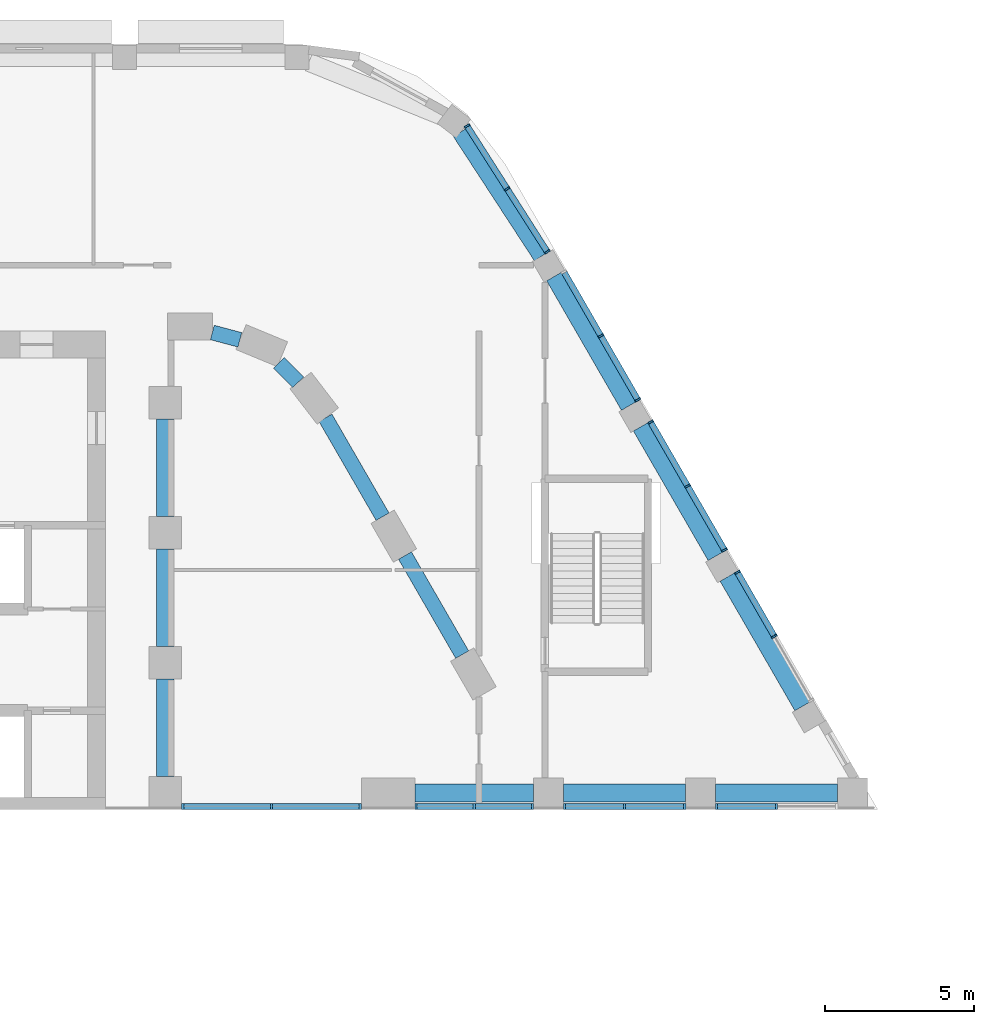
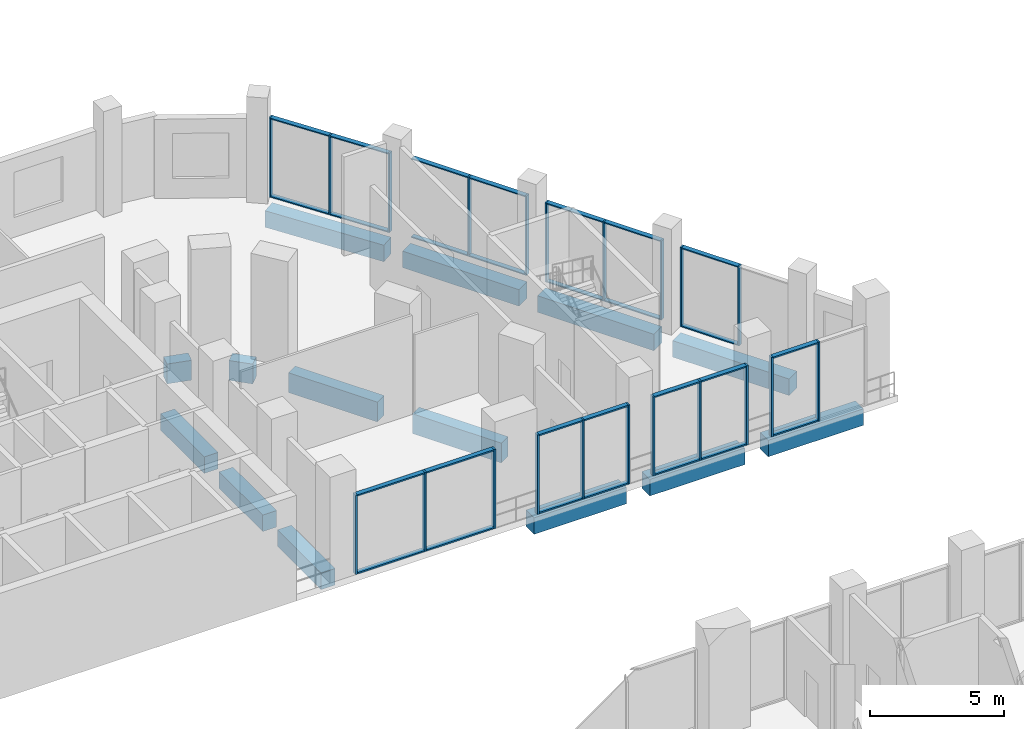
# One storey, part 6 of 45: 49 members, 14 beams, 8 elements without a shape of their own.
"""IFC4 building model written with IfcOpenShell, lengths in metres."""

from ifc_helpers import new_model, si_unit, direction, frame, origin, origin_2d, place, context, subcontext, project, spatial, rectangle, extrude, material, layer, layer_set, material_profile, profile_set, type_object, element, aggregate, save


model = new_model("IFC4")

# Units and contexts
model_context = context("Model", 3, precision=1e-05, world=origin(), true_north=direction((0.0, 1.0)))
body_context = subcontext(model_context, "Body", "Model", "MODEL_VIEW")
ifc_project = project(units=[si_unit("LENGTHUNIT", "METRE"), si_unit("AREAUNIT", "SQUARE_METRE"), si_unit("VOLUMEUNIT", "CUBIC_METRE"), si_unit("PLANEANGLEUNIT", "RADIAN"), si_unit("MASSUNIT", "GRAM", prefix="KILO")], contexts=[model_context])

# Site, building, storey
site_placement = place(None, origin())
site = spatial("IfcSite", under=ifc_project, at=site_placement, CompositionType="ELEMENT")
building_placement = place(site_placement, origin())
building = spatial("IfcBuilding", under=site, at=building_placement, Name="Nakaniwa Court", CompositionType="ELEMENT")
storey_placement = place(building_placement, frame((0.0, 0.0, 6.60009765625)))
storey = spatial("IfcBuildingStorey", under=building, at=storey_placement, Name="L01", CompositionType="ELEMENT", Elevation=6.60009765625)

# Beams
ifc_material_1 = material(Name="Concrete C100/115", Category="concrete")
ifc_material_profile_1 = material_profile(ifc_material_1, rectangle(XDim=0.5, YDim=0.89990234375, at=origin_2d()), Name="Concrete C100/115 RC 500x900 spandrel beam")
ifc_profile_set_1 = profile_set([ifc_material_profile_1], Name="Concrete C100/115")
beam_type_1 = type_object("IfcBeamType", Name="Concrete C100/115 RC 500x900 spandrel beam", PredefinedType="BEAM", material=ifc_profile_set_1)
beam_1_placement = place(storey_placement, frame((99.933349609375, 92.57421875, -0.75), z_axis=(-0.499961815444, 0.866047448526, 0.0), x_axis=(-0.866047448526, -0.499961815444, 0.0)))
element("IfcBeam", 1, at=beam_1_placement, inside=storey, type_object=beam_type_1, Name="SPANDREL BEAM", PredefinedType="BEAM", context=body_context, shape_type="SweptSolid", body=[
    extrude(rectangle(XDim=0.5, YDim=0.89990234375, at=origin_2d()), origin(), (0.0, 0.0, 1.0), 3.825927734375),
])
beam_2_placement = place(storey_placement, frame((97.2705078125, 97.1865234375, -0.75), z_axis=(-0.500023067617, 0.86601208528, 0.0), x_axis=(-0.86601208528, -0.500023067617, 0.0)))
element("IfcBeam", 2, at=beam_2_placement, inside=storey, type_object=beam_type_1, Name="SPANDREL BEAM", PredefinedType="BEAM", context=body_context, shape_type="SweptSolid", body=[
    extrude(rectangle(XDim=0.5, YDim=0.89990234375, at=origin_2d()), origin(), (0.0, 0.0, 1.0), 3.819580078125),
])
beam_3_placement = place(storey_placement, frame((94.448486328125, 101.68505859375, -0.75), z_axis=(-0.705908410536, 0.708303124329, 0.0), x_axis=(-0.708303124329, -0.705908410536, 0.0)))
element("IfcBeam", 3, at=beam_3_placement, inside=storey, type_object=beam_type_1, Name="SPANDREL BEAM", PredefinedType="BEAM", context=body_context, shape_type="SweptSolid", body=[
    extrude(rectangle(XDim=0.5, YDim=0.89990234375, at=origin_2d()), origin(), (0.0, 0.0, 1.0), 0.91748046875),
])
beam_4_placement = place(storey_placement, frame((92.49609375, 103.10498046875, -0.75), z_axis=(-0.966324126494, 0.257327966912, 0.0), x_axis=(-0.257327966912, -0.966324126494, 0.0)))
element("IfcBeam", 4, at=beam_4_placement, inside=storey, type_object=beam_type_1, Name="SPANDREL BEAM", PredefinedType="BEAM", context=body_context, shape_type="SweptSolid", body=[
    extrude(rectangle(XDim=0.5, YDim=0.89990234375, at=origin_2d()), origin(), (0.0, 0.0, 1.0), 0.95361328125),
])
ifc_material_profile_2 = material_profile(ifc_material_1, rectangle(XDim=0.60009765625, YDim=0.75, at=origin_2d()), Name="Concrete C100/115 RC 600x750 ring beam")
ifc_profile_set_2 = profile_set([ifc_material_profile_2], Name="Concrete C100/115")
beam_type_2 = type_object("IfcBeamType", Name="Concrete C100/115 RC 600x750 ring beam", PredefinedType="BEAM", material=ifc_profile_set_2)
for number, where, z_axis, x_axis, name in (
    (5, (90.0, 88.5, -0.675048828125), (0.0, 1.0, 0.0), (-1.0, 0.0, 0.0), "RING BEAM"),
    (6, (90.0, 92.85009765625, -0.675048828125), (0.0, 1.0, 0.0), (-1.0, 0.0, 0.0), "RING BEAM"),
    (7, (90.0, 97.199951171875, -0.675048828125), (0.0, 1.0, 0.0), (-1.0, 0.0, 0.0), "RING BEAM"),
):
    element("IfcBeam", number, at=place(storey_placement, frame(where, z_axis=z_axis, x_axis=x_axis)), inside=storey, type_object=beam_type_2, Name=name, PredefinedType="BEAM", context=body_context, shape_type="SweptSolid", body=[
        extrude(rectangle(XDim=0.60009765625, YDim=0.75, at=origin_2d()), origin(), (0.0, 0.0, 1.0), 3.25),
    ])
for number, where, z_axis, x_axis, name in (
    (8, (111.322998046875, 90.8466796875, -0.675048828125), (-0.499960447986, 0.866048237946, 0.0), (-0.866048237946, -0.499960447986, 0.0), "RING BEAM"),
    (9, (108.422119140625, 95.87158203125, -0.675048828125), (-0.499997052475, 0.866027105532, 0.0), (-0.866027105532, -0.499997052475, 0.0), "RING BEAM"),
):
    element("IfcBeam", number, at=place(storey_placement, frame(where, z_axis=z_axis, x_axis=x_axis)), inside=storey, type_object=beam_type_2, Name=name, PredefinedType="BEAM", context=body_context, shape_type="SweptSolid", body=[
        extrude(rectangle(XDim=0.60009765625, YDim=0.75, at=origin_2d()), origin(), (0.0, 0.0, 1.0), 5.00244140625),
    ])
beam_5_placement = place(storey_placement, frame((105.520751953125, 100.896728515625, -0.675048828125), z_axis=(-0.499981580887, 0.866036037803, 0.0), x_axis=(-0.866036037803, -0.499981580887, 0.0)))
element("IfcBeam", 10, at=beam_5_placement, inside=storey, type_object=beam_type_2, Name="RING BEAM", PredefinedType="BEAM", context=body_context, shape_type="SweptSolid", body=[
    extrude(rectangle(XDim=0.60009765625, YDim=0.75, at=origin_2d()), origin(), (0.0, 0.0, 1.0), 5.002197265625),
])
beam_6_placement = place(storey_placement, frame((102.600830078125, 105.910888671875, -0.675048828125), z_axis=(-0.546240745353, 0.837628227865, 0.0), x_axis=(-0.837628227865, -0.546240745353, 0.0)))
element("IfcBeam", 11, at=beam_6_placement, inside=storey, type_object=beam_type_2, Name="RING BEAM", PredefinedType="BEAM", context=body_context, shape_type="SweptSolid", body=[
    extrude(rectangle(XDim=0.60009765625, YDim=0.75, at=origin_2d()), origin(), (0.0, 0.0, 1.0), 4.95849609375),
])
beam_7_placement = place(storey_placement, frame((98.35791015625, 87.949951171875, -0.675048828125), z_axis=(1.0, 0.0, 0.0), x_axis=(0.0, 1.0, 0.0)))
element("IfcBeam", 12, at=beam_7_placement, inside=storey, type_object=beam_type_2, Name="RING BEAM", PredefinedType="BEAM", context=body_context, shape_type="SweptSolid", body=[
    extrude(rectangle(XDim=0.60009765625, YDim=0.75, at=origin_2d()), origin(), (0.0, 0.0, 1.0), 3.965087890625),
])
beam_8_placement = place(storey_placement, frame((103.322998046875, 87.949951171875, -0.675048828125), z_axis=(1.0, 0.0, 0.0), x_axis=(0.0, 1.0, 0.0)))
element("IfcBeam", 13, at=beam_8_placement, inside=storey, type_object=beam_type_2, Name="RING BEAM", PredefinedType="BEAM", context=body_context, shape_type="SweptSolid", body=[
    extrude(rectangle(XDim=0.60009765625, YDim=0.75, at=origin_2d()), origin(), (0.0, 0.0, 1.0), 4.0859375),
])
beam_9_placement = place(storey_placement, frame((108.408935546875, 87.949951171875, -0.675048828125), z_axis=(1.0, 0.0, 0.0), x_axis=(0.0, 1.0, 0.0)))
element("IfcBeam", 14, at=beam_9_placement, inside=storey, type_object=beam_type_2, Name="RING BEAM", PredefinedType="BEAM", context=body_context, shape_type="SweptSolid", body=[
    extrude(rectangle(XDim=0.60009765625, YDim=0.75, at=origin_2d()), origin(), (0.0, 0.0, 1.0), 4.087158203125),
])

# Curtain wall, members
ifc_material_2 = material(Name="Black anodised aluminium frame with dark low-E laminated double glazing", Category="aluminium")
ifc_layer_1 = layer(ifc_material_2, 0.199951171875)
ifc_layer_set_1 = layer_set([ifc_layer_1], Name="Black anodised aluminium frame with dark low-E laminated double glazing")
curtain_wall_type_1 = type_object("IfcCurtainWallType", Name="Podium unitised curtain wall", PredefinedType="NOTDEFINED", material=ifc_layer_set_1)
curtain_wall_1_placement = place(storey_placement, origin())
curtain_wall_1 = element("IfcCurtainWall", 15, at=curtain_wall_1_placement, inside=storey, type_object=curtain_wall_type_1, Name="L01 curtain wall CW1 40", PredefinedType="NOTDEFINED")
ifc_material_3 = material(Name="Black anodised aluminium extrusion", Category="aluminium")
ifc_material_profile_3 = material_profile(ifc_material_3, rectangle(XDim=0.199951171875, YDim=0.06494140625, at=origin_2d()), Name="Podium unitised curtain wall mullion 65x200")
ifc_profile_set_3 = profile_set([ifc_material_profile_3], Name="Black anodised aluminium extrusion")
member_type_1 = type_object("IfcMemberType", Name="Podium unitised curtain wall mullion 65x200", PredefinedType="MULLION", material=ifc_profile_set_3)
member_1_placement = place(storey_placement, frame((110.375732421875, 93.187744140625, 0.0), z_axis=(0.0, 0.0, 1.0), x_axis=(-0.866032365426, -0.499987941889, 0.0)))
member_1 = element("IfcMember", 16, at=member_1_placement, type_object=member_type_1, Name="CW1 mullion 2", PredefinedType="MULLION", context=body_context, shape_type="SweptSolid", body=[
    extrude(rectangle(XDim=0.199951171875, YDim=0.06494140625, at=origin_2d()), origin(), (0.0, 0.0, 1.0), 3.599853515625),
])
member_2_placement = place(storey_placement, frame((109.139404296875, 95.329345703125, 0.0), z_axis=(0.0, 0.0, 1.0), x_axis=(-0.866032365426, -0.499987941889, 0.0)))
member_2 = element("IfcMember", 17, at=member_2_placement, type_object=member_type_1, Name="CW1 mullion 3", PredefinedType="MULLION", context=body_context, shape_type="SweptSolid", body=[
    extrude(rectangle(XDim=0.199951171875, YDim=0.06494140625, at=origin_2d()), origin(), (0.0, 0.0, 1.0), 3.599853515625),
])

curtain_wall_2_placement = place(storey_placement, origin())
curtain_wall_2 = element("IfcCurtainWall", 18, at=curtain_wall_2_placement, inside=storey, type_object=curtain_wall_type_1, Name="L01 curtain wall CW1 41", PredefinedType="NOTDEFINED")
member_3_placement = place(storey_placement, frame((108.7109375, 96.0712890625, 0.0), z_axis=(0.0, 0.0, 1.0), x_axis=(-0.866028712692, -0.499994268761, 0.0)))
member_3 = element("IfcMember", 19, at=member_3_placement, type_object=member_type_1, Name="CW1 mullion 1", PredefinedType="MULLION", context=body_context, shape_type="SweptSolid", body=[
    extrude(rectangle(XDim=0.199951171875, YDim=0.06494140625, at=origin_2d()), origin(), (0.0, 0.0, 1.0), 3.599853515625),
])
member_4_placement = place(storey_placement, frame((107.474609375, 98.212890625, 0.0), z_axis=(0.0, 0.0, 1.0), x_axis=(-0.866028712692, -0.499994268761, 0.0)))
member_4 = element("IfcMember", 20, at=member_4_placement, type_object=member_type_1, Name="CW1 mullion 2", PredefinedType="MULLION", context=body_context, shape_type="SweptSolid", body=[
    extrude(rectangle(XDim=0.199951171875, YDim=0.06494140625, at=origin_2d()), origin(), (0.0, 0.0, 1.0), 3.599853515625),
])
member_5_placement = place(storey_placement, frame((106.238037109375, 100.354248046875, 0.0), z_axis=(0.0, 0.0, 1.0), x_axis=(-0.866028712692, -0.499994268761, 0.0)))
member_5 = element("IfcMember", 21, at=member_5_placement, type_object=member_type_1, Name="CW1 mullion 3", PredefinedType="MULLION", context=body_context, shape_type="SweptSolid", body=[
    extrude(rectangle(XDim=0.199951171875, YDim=0.06494140625, at=origin_2d()), origin(), (0.0, 0.0, 1.0), 3.599853515625),
])

curtain_wall_3_placement = place(storey_placement, origin())
curtain_wall_3 = element("IfcCurtainWall", 22, at=curtain_wall_3_placement, inside=storey, type_object=curtain_wall_type_1, Name="L01 curtain wall CW1 42", PredefinedType="NOTDEFINED")
member_6_placement = place(storey_placement, frame((105.8095703125, 101.096435546875, 0.0), z_axis=(0.0, 0.0, 1.0), x_axis=(-0.866032365426, -0.499987941889, 0.0)))
member_6 = element("IfcMember", 23, at=member_6_placement, type_object=member_type_1, Name="CW1 mullion 1", PredefinedType="MULLION", context=body_context, shape_type="SweptSolid", body=[
    extrude(rectangle(XDim=0.199951171875, YDim=0.06494140625, at=origin_2d()), origin(), (0.0, 0.0, 1.0), 3.599853515625),
])
member_7_placement = place(storey_placement, frame((104.5732421875, 103.23779296875, 0.0), z_axis=(0.0, 0.0, 1.0), x_axis=(-0.866032365426, -0.499987941889, 0.0)))
member_7 = element("IfcMember", 24, at=member_7_placement, type_object=member_type_1, Name="CW1 mullion 2", PredefinedType="MULLION", context=body_context, shape_type="SweptSolid", body=[
    extrude(rectangle(XDim=0.199951171875, YDim=0.06494140625, at=origin_2d()), origin(), (0.0, 0.0, 1.0), 3.599853515625),
])

curtain_wall_4_placement = place(storey_placement, origin())
curtain_wall_4 = element("IfcCurtainWall", 25, at=curtain_wall_4_placement, inside=storey, type_object=curtain_wall_type_1, Name="L01 curtain wall CW1 43", PredefinedType="NOTDEFINED")
member_8_placement = place(storey_placement, frame((102.780517578125, 106.0498046875, 0.0), z_axis=(0.0, 0.0, 1.0), x_axis=(-0.843171726606, -0.537644342899, 0.0)))
member_8 = element("IfcMember", 26, at=member_8_placement, type_object=member_type_1, Name="CW1 mullion 1", PredefinedType="MULLION", context=body_context, shape_type="SweptSolid", body=[
    extrude(rectangle(XDim=0.199951171875, YDim=0.06494140625, at=origin_2d()), origin(), (0.0, 0.0, 1.0), 3.599853515625),
])
member_9_placement = place(storey_placement, frame((101.438720703125, 108.154296875, 0.0), z_axis=(0.0, 0.0, 1.0), x_axis=(-0.843171726606, -0.537644342899, 0.0)))
member_9 = element("IfcMember", 27, at=member_9_placement, type_object=member_type_1, Name="CW1 mullion 2", PredefinedType="MULLION", context=body_context, shape_type="SweptSolid", body=[
    extrude(rectangle(XDim=0.199951171875, YDim=0.06494140625, at=origin_2d()), origin(), (0.0, 0.0, 1.0), 3.599853515625),
])
member_10_placement = place(storey_placement, frame((100.096923828125, 110.258544921875, 0.0), z_axis=(0.0, 0.0, 1.0), x_axis=(-0.843171726606, -0.537644342899, 0.0)))
member_10 = element("IfcMember", 28, at=member_10_placement, type_object=member_type_1, Name="CW1 mullion 3", PredefinedType="MULLION", context=body_context, shape_type="SweptSolid", body=[
    extrude(rectangle(XDim=0.199951171875, YDim=0.06494140625, at=origin_2d()), origin(), (0.0, 0.0, 1.0), 3.599853515625),
])

# Member
ifc_material_profile_4 = material_profile(ifc_material_3, rectangle(XDim=0.199951171875, YDim=0.050048828125, at=origin_2d()), Name="Podium unitised curtain wall transom 50x200")
ifc_profile_set_4 = profile_set([ifc_material_profile_4], Name="Black anodised aluminium extrusion")
member_type_2 = type_object("IfcMemberType", Name="Podium unitised curtain wall transom 50x200", PredefinedType="USERDEFINED", material=ifc_profile_set_4)
member_11_placement = place(storey_placement, frame((110.359375, 93.216064453125, 0.02490234375), z_axis=(-0.50003260427, 0.866006578882, 0.0), x_axis=(-0.866006578882, -0.50003260427, 0.0)))
member_11 = element("IfcMember", 29, at=member_11_placement, type_object=member_type_2, Name="CW1 transom 2.1", ObjectType="TRANSOM", PredefinedType="USERDEFINED", context=body_context, shape_type="SweptSolid", body=[
    extrude(rectangle(XDim=0.199951171875, YDim=0.050048828125, at=origin_2d()), origin(), (0.0, 0.0, 1.0), 2.407470703125),
])

member_12_placement = place(storey_placement, frame((110.359375, 93.216064453125, 3.574951171875), z_axis=(-0.50003260427, 0.866006578882, 0.0), x_axis=(-0.866006578882, -0.50003260427, 0.0)))
member_12 = element("IfcMember", 30, at=member_12_placement, type_object=member_type_2, Name="CW1 transom 2.2", ObjectType="TRANSOM", PredefinedType="USERDEFINED", context=body_context, shape_type="SweptSolid", body=[
    extrude(rectangle(XDim=0.199951171875, YDim=0.050048828125, at=origin_2d()), origin(), (0.0, 0.0, 1.0), 2.407470703125),
])

aggregate(curtain_wall_1, [member_1, member_2, member_11, member_12])

member_13_placement = place(storey_placement, frame((108.694580078125, 96.099609375, 0.02490234375), z_axis=(-0.50003260427, 0.866006578882, 0.0), x_axis=(-0.866006578882, -0.50003260427, 0.0)))
member_13 = element("IfcMember", 31, at=member_13_placement, type_object=member_type_2, Name="CW1 transom 1.1", ObjectType="TRANSOM", PredefinedType="USERDEFINED", context=body_context, shape_type="SweptSolid", body=[
    extrude(rectangle(XDim=0.199951171875, YDim=0.050048828125, at=origin_2d()), origin(), (0.0, 0.0, 1.0), 2.407470703125),
])

member_14_placement = place(storey_placement, frame((108.694580078125, 96.099609375, 3.574951171875), z_axis=(-0.50003260427, 0.866006578882, 0.0), x_axis=(-0.866006578882, -0.50003260427, 0.0)))
member_14 = element("IfcMember", 32, at=member_14_placement, type_object=member_type_2, Name="CW1 transom 1.2", ObjectType="TRANSOM", PredefinedType="USERDEFINED", context=body_context, shape_type="SweptSolid", body=[
    extrude(rectangle(XDim=0.199951171875, YDim=0.050048828125, at=origin_2d()), origin(), (0.0, 0.0, 1.0), 2.407470703125),
])

member_15_placement = place(storey_placement, frame((107.458251953125, 98.240966796875, 0.02490234375), z_axis=(-0.499988695522, 0.866031930329, 0.0), x_axis=(-0.866031930329, -0.499988695522, 0.0)))
member_15 = element("IfcMember", 33, at=member_15_placement, type_object=member_type_2, Name="CW1 transom 2.1", ObjectType="TRANSOM", PredefinedType="USERDEFINED", context=body_context, shape_type="SweptSolid", body=[
    extrude(rectangle(XDim=0.199951171875, YDim=0.050048828125, at=origin_2d()), origin(), (0.0, 0.0, 1.0), 2.40771484375),
])

member_16_placement = place(storey_placement, frame((107.458251953125, 98.240966796875, 3.574951171875), z_axis=(-0.499988695522, 0.866031930329, 0.0), x_axis=(-0.866031930329, -0.499988695522, 0.0)))
member_16 = element("IfcMember", 34, at=member_16_placement, type_object=member_type_2, Name="CW1 transom 2.2", ObjectType="TRANSOM", PredefinedType="USERDEFINED", context=body_context, shape_type="SweptSolid", body=[
    extrude(rectangle(XDim=0.199951171875, YDim=0.050048828125, at=origin_2d()), origin(), (0.0, 0.0, 1.0), 2.40771484375),
])

aggregate(curtain_wall_2, [member_3, member_4, member_5, member_13, member_14, member_15, member_16])

member_17_placement = place(storey_placement, frame((105.79345703125, 101.12451171875, 0.02490234375), z_axis=(-0.499988695522, 0.866031930329, 0.0), x_axis=(-0.866031930329, -0.499988695522, 0.0)))
member_17 = element("IfcMember", 35, at=member_17_placement, type_object=member_type_2, Name="CW1 transom 1.1", ObjectType="TRANSOM", PredefinedType="USERDEFINED", context=body_context, shape_type="SweptSolid", body=[
    extrude(rectangle(XDim=0.199951171875, YDim=0.050048828125, at=origin_2d()), origin(), (0.0, 0.0, 1.0), 2.40771484375),
])

member_18_placement = place(storey_placement, frame((105.79345703125, 101.12451171875, 3.574951171875), z_axis=(-0.499988695522, 0.866031930329, 0.0), x_axis=(-0.866031930329, -0.499988695522, 0.0)))
member_18 = element("IfcMember", 36, at=member_18_placement, type_object=member_type_2, Name="CW1 transom 1.2", ObjectType="TRANSOM", PredefinedType="USERDEFINED", context=body_context, shape_type="SweptSolid", body=[
    extrude(rectangle(XDim=0.199951171875, YDim=0.050048828125, at=origin_2d()), origin(), (0.0, 0.0, 1.0), 2.40771484375),
])

member_19_placement = place(storey_placement, frame((104.55712890625, 103.265869140625, 0.02490234375), z_axis=(-0.499988695522, 0.866031930329, 0.0), x_axis=(-0.866031930329, -0.499988695522, 0.0)))
member_19 = element("IfcMember", 37, at=member_19_placement, type_object=member_type_2, Name="CW1 transom 2.1", ObjectType="TRANSOM", PredefinedType="USERDEFINED", context=body_context, shape_type="SweptSolid", body=[
    extrude(rectangle(XDim=0.199951171875, YDim=0.050048828125, at=origin_2d()), origin(), (0.0, 0.0, 1.0), 2.40771484375),
])

member_20_placement = place(storey_placement, frame((104.55712890625, 103.265869140625, 3.574951171875), z_axis=(-0.499988695522, 0.866031930329, 0.0), x_axis=(-0.866031930329, -0.499988695522, 0.0)))
member_20 = element("IfcMember", 38, at=member_20_placement, type_object=member_type_2, Name="CW1 transom 2.2", ObjectType="TRANSOM", PredefinedType="USERDEFINED", context=body_context, shape_type="SweptSolid", body=[
    extrude(rectangle(XDim=0.199951171875, YDim=0.050048828125, at=origin_2d()), origin(), (0.0, 0.0, 1.0), 2.40771484375),
])

aggregate(curtain_wall_3, [member_6, member_7, member_17, member_18, member_19, member_20])

member_21_placement = place(storey_placement, frame((102.762939453125, 106.077392578125, 0.02490234375), z_axis=(-0.537642140541, 0.843173130925, 0.0), x_axis=(-0.843173130925, -0.537642140541, 0.0)))
member_21 = element("IfcMember", 39, at=member_21_placement, type_object=member_type_2, Name="CW1 transom 1.1", ObjectType="TRANSOM", PredefinedType="USERDEFINED", context=body_context, shape_type="SweptSolid", body=[
    extrude(rectangle(XDim=0.199951171875, YDim=0.050048828125, at=origin_2d()), origin(), (0.0, 0.0, 1.0), 2.4306640625),
])

member_22_placement = place(storey_placement, frame((102.762939453125, 106.077392578125, 3.574951171875), z_axis=(-0.537642140541, 0.843173130925, 0.0), x_axis=(-0.843173130925, -0.537642140541, 0.0)))
member_22 = element("IfcMember", 40, at=member_22_placement, type_object=member_type_2, Name="CW1 transom 1.2", ObjectType="TRANSOM", PredefinedType="USERDEFINED", context=body_context, shape_type="SweptSolid", body=[
    extrude(rectangle(XDim=0.199951171875, YDim=0.050048828125, at=origin_2d()), origin(), (0.0, 0.0, 1.0), 2.4306640625),
])

member_23_placement = place(storey_placement, frame((101.421142578125, 108.181640625, 0.02490234375), z_axis=(-0.537642140541, 0.843173130925, 0.0), x_axis=(-0.843173130925, -0.537642140541, 0.0)))
member_23 = element("IfcMember", 41, at=member_23_placement, type_object=member_type_2, Name="CW1 transom 2.1", ObjectType="TRANSOM", PredefinedType="USERDEFINED", context=body_context, shape_type="SweptSolid", body=[
    extrude(rectangle(XDim=0.199951171875, YDim=0.050048828125, at=origin_2d()), origin(), (0.0, 0.0, 1.0), 2.4306640625),
])

member_24_placement = place(storey_placement, frame((101.421142578125, 108.181640625, 3.574951171875), z_axis=(-0.537642140541, 0.843173130925, 0.0), x_axis=(-0.843173130925, -0.537642140541, 0.0)))
member_24 = element("IfcMember", 42, at=member_24_placement, type_object=member_type_2, Name="CW1 transom 2.2", ObjectType="TRANSOM", PredefinedType="USERDEFINED", context=body_context, shape_type="SweptSolid", body=[
    extrude(rectangle(XDim=0.199951171875, YDim=0.050048828125, at=origin_2d()), origin(), (0.0, 0.0, 1.0), 2.4306640625),
])

aggregate(curtain_wall_4, [member_8, member_9, member_10, member_21, member_22, member_23, member_24])

# Curtain wall, members
ifc_layer_2 = layer(ifc_material_2, 0.199951171875)
ifc_layer_set_2 = layer_set([ifc_layer_2], Name="Black anodised aluminium frame with dark low-E laminated double glazing")
curtain_wall_type_2 = type_object("IfcCurtainWallType", Name="Portal side curtain wall", PredefinedType="NOTDEFINED", material=ifc_layer_set_2)
curtain_wall_5_placement = place(storey_placement, origin())
curtain_wall_5 = element("IfcCurtainWall", 43, at=curtain_wall_5_placement, inside=storey, type_object=curtain_wall_type_2, Name="L01 curtain wall CW5 35", PredefinedType="NOTDEFINED")
ifc_material_profile_5 = material_profile(ifc_material_3, rectangle(XDim=0.199951171875, YDim=0.074951171875, at=origin_2d()), Name="Portal side curtain wall mullion 75x200")
ifc_profile_set_5 = profile_set([ifc_material_profile_5], Name="Black anodised aluminium extrusion")
member_type_3 = type_object("IfcMemberType", Name="Portal side curtain wall mullion 75x200", PredefinedType="MULLION", material=ifc_profile_set_5)
member_25_placement = place(storey_placement, frame((90.58349609375, 87.5, 0.0), z_axis=(0.0, 0.0, 1.0), x_axis=(0.0, 1.0, 0.0)))
member_25 = element("IfcMember", 44, at=member_25_placement, type_object=member_type_3, Name="CW5 mullion 1", PredefinedType="MULLION", context=body_context, shape_type="SweptSolid", body=[
    extrude(rectangle(XDim=0.199951171875, YDim=0.074951171875, at=origin_2d()), origin(), (0.0, 0.0, 1.0), 3.599853515625),
])
member_26_placement = place(storey_placement, frame((93.553955078125, 87.5, 0.0), z_axis=(0.0, 0.0, 1.0), x_axis=(0.0, 1.0, 0.0)))
member_26 = element("IfcMember", 45, at=member_26_placement, type_object=member_type_3, Name="CW5 mullion 2", PredefinedType="MULLION", context=body_context, shape_type="SweptSolid", body=[
    extrude(rectangle(XDim=0.199951171875, YDim=0.074951171875, at=origin_2d()), origin(), (0.0, 0.0, 1.0), 3.599853515625),
])
member_27_placement = place(storey_placement, frame((96.5244140625, 87.5, 0.0), z_axis=(0.0, 0.0, 1.0), x_axis=(0.0, 1.0, 0.0)))
member_27 = element("IfcMember", 46, at=member_27_placement, type_object=member_type_3, Name="CW5 mullion 3", PredefinedType="MULLION", context=body_context, shape_type="SweptSolid", body=[
    extrude(rectangle(XDim=0.199951171875, YDim=0.074951171875, at=origin_2d()), origin(), (0.0, 0.0, 1.0), 3.599853515625),
])

curtain_wall_6_placement = place(storey_placement, origin())
curtain_wall_6 = element("IfcCurtainWall", 47, at=curtain_wall_6_placement, inside=storey, type_object=curtain_wall_type_2, Name="L01 curtain wall CW5 36", PredefinedType="NOTDEFINED")
member_28_placement = place(storey_placement, frame((98.3916015625, 87.5, 0.0), z_axis=(0.0, 0.0, 1.0), x_axis=(0.0, 1.0, 0.0)))
member_28 = element("IfcMember", 48, at=member_28_placement, type_object=member_type_3, Name="CW5 mullion 1", PredefinedType="MULLION", context=body_context, shape_type="SweptSolid", body=[
    extrude(rectangle(XDim=0.199951171875, YDim=0.074951171875, at=origin_2d()), origin(), (0.0, 0.0, 1.0), 3.599853515625),
])
member_29_placement = place(storey_placement, frame((100.340576171875, 87.5, 0.0), z_axis=(0.0, 0.0, 1.0), x_axis=(0.0, 1.0, 0.0)))
member_29 = element("IfcMember", 49, at=member_29_placement, type_object=member_type_3, Name="CW5 mullion 2", PredefinedType="MULLION", context=body_context, shape_type="SweptSolid", body=[
    extrude(rectangle(XDim=0.199951171875, YDim=0.074951171875, at=origin_2d()), origin(), (0.0, 0.0, 1.0), 3.599853515625),
])
member_30_placement = place(storey_placement, frame((102.28955078125, 87.5, 0.0), z_axis=(0.0, 0.0, 1.0), x_axis=(0.0, 1.0, 0.0)))
member_30 = element("IfcMember", 50, at=member_30_placement, type_object=member_type_3, Name="CW5 mullion 3", PredefinedType="MULLION", context=body_context, shape_type="SweptSolid", body=[
    extrude(rectangle(XDim=0.199951171875, YDim=0.074951171875, at=origin_2d()), origin(), (0.0, 0.0, 1.0), 3.599853515625),
])

curtain_wall_7_placement = place(storey_placement, origin())
curtain_wall_7 = element("IfcCurtainWall", 51, at=curtain_wall_7_placement, inside=storey, type_object=curtain_wall_type_2, Name="L01 curtain wall CW5 37", PredefinedType="NOTDEFINED")
member_31_placement = place(storey_placement, frame((103.3564453125, 87.5, 0.0), z_axis=(0.0, 0.0, 1.0), x_axis=(0.0, 1.0, 0.0)))
member_31 = element("IfcMember", 52, at=member_31_placement, type_object=member_type_3, Name="CW5 mullion 1", PredefinedType="MULLION", context=body_context, shape_type="SweptSolid", body=[
    extrude(rectangle(XDim=0.199951171875, YDim=0.074951171875, at=origin_2d()), origin(), (0.0, 0.0, 1.0), 3.599853515625),
])
member_32_placement = place(storey_placement, frame((105.365966796875, 87.5, 0.0), z_axis=(0.0, 0.0, 1.0), x_axis=(0.0, 1.0, 0.0)))
member_32 = element("IfcMember", 53, at=member_32_placement, type_object=member_type_3, Name="CW5 mullion 2", PredefinedType="MULLION", context=body_context, shape_type="SweptSolid", body=[
    extrude(rectangle(XDim=0.199951171875, YDim=0.074951171875, at=origin_2d()), origin(), (0.0, 0.0, 1.0), 3.599853515625),
])
member_33_placement = place(storey_placement, frame((107.37548828125, 87.5, 0.0), z_axis=(0.0, 0.0, 1.0), x_axis=(0.0, 1.0, 0.0)))
member_33 = element("IfcMember", 54, at=member_33_placement, type_object=member_type_3, Name="CW5 mullion 3", PredefinedType="MULLION", context=body_context, shape_type="SweptSolid", body=[
    extrude(rectangle(XDim=0.199951171875, YDim=0.074951171875, at=origin_2d()), origin(), (0.0, 0.0, 1.0), 3.599853515625),
])

curtain_wall_8_placement = place(storey_placement, origin())
curtain_wall_8 = element("IfcCurtainWall", 55, at=curtain_wall_8_placement, inside=storey, type_object=curtain_wall_type_2, Name="L01 curtain wall CW5 38", PredefinedType="NOTDEFINED")
member_34_placement = place(storey_placement, frame((108.4423828125, 87.5, 0.0), z_axis=(0.0, 0.0, 1.0), x_axis=(0.0, 1.0, 0.0)))
member_34 = element("IfcMember", 56, at=member_34_placement, type_object=member_type_3, Name="CW5 mullion 1", PredefinedType="MULLION", context=body_context, shape_type="SweptSolid", body=[
    extrude(rectangle(XDim=0.199951171875, YDim=0.074951171875, at=origin_2d()), origin(), (0.0, 0.0, 1.0), 3.599853515625),
])
member_35_placement = place(storey_placement, frame((110.452392578125, 87.5, 0.0), z_axis=(0.0, 0.0, 1.0), x_axis=(0.0, 1.0, 0.0)))
member_35 = element("IfcMember", 57, at=member_35_placement, type_object=member_type_3, Name="CW5 mullion 2", PredefinedType="MULLION", context=body_context, shape_type="SweptSolid", body=[
    extrude(rectangle(XDim=0.199951171875, YDim=0.074951171875, at=origin_2d()), origin(), (0.0, 0.0, 1.0), 3.599853515625),
])

# Member
ifc_material_profile_6 = material_profile(ifc_material_3, rectangle(XDim=0.199951171875, YDim=0.06494140625, at=origin_2d()), Name="Portal side curtain wall transom 65x200")
ifc_profile_set_6 = profile_set([ifc_material_profile_6], Name="Black anodised aluminium extrusion")
member_type_4 = type_object("IfcMemberType", Name="Portal side curtain wall transom 65x200", PredefinedType="USERDEFINED", material=ifc_profile_set_6)
member_36_placement = place(storey_placement, frame((90.62109375, 87.5, 0.032470703125), z_axis=(1.0, 0.0, 0.0), x_axis=(0.0, 1.0, 0.0)))
member_36 = element("IfcMember", 58, at=member_36_placement, type_object=member_type_4, Name="CW5 transom 1.1", ObjectType="TRANSOM", PredefinedType="USERDEFINED", context=body_context, shape_type="SweptSolid", body=[
    extrude(rectangle(XDim=0.199951171875, YDim=0.06494140625, at=origin_2d()), origin(), (0.0, 0.0, 1.0), 2.8955078125),
])

member_37_placement = place(storey_placement, frame((90.62109375, 87.5, 3.5673828125), z_axis=(1.0, 0.0, 0.0), x_axis=(0.0, 1.0, 0.0)))
member_37 = element("IfcMember", 59, at=member_37_placement, type_object=member_type_4, Name="CW5 transom 1.2", ObjectType="TRANSOM", PredefinedType="USERDEFINED", context=body_context, shape_type="SweptSolid", body=[
    extrude(rectangle(XDim=0.199951171875, YDim=0.06494140625, at=origin_2d()), origin(), (0.0, 0.0, 1.0), 2.8955078125),
])

member_38_placement = place(storey_placement, frame((93.591552734375, 87.5, 0.032470703125), z_axis=(1.0, 0.0, 0.0), x_axis=(0.0, 1.0, 0.0)))
member_38 = element("IfcMember", 60, at=member_38_placement, type_object=member_type_4, Name="CW5 transom 2.1", ObjectType="TRANSOM", PredefinedType="USERDEFINED", context=body_context, shape_type="SweptSolid", body=[
    extrude(rectangle(XDim=0.199951171875, YDim=0.06494140625, at=origin_2d()), origin(), (0.0, 0.0, 1.0), 2.8955078125),
])

member_39_placement = place(storey_placement, frame((93.591552734375, 87.5, 3.5673828125), z_axis=(1.0, 0.0, 0.0), x_axis=(0.0, 1.0, 0.0)))
member_39 = element("IfcMember", 61, at=member_39_placement, type_object=member_type_4, Name="CW5 transom 2.2", ObjectType="TRANSOM", PredefinedType="USERDEFINED", context=body_context, shape_type="SweptSolid", body=[
    extrude(rectangle(XDim=0.199951171875, YDim=0.06494140625, at=origin_2d()), origin(), (0.0, 0.0, 1.0), 2.8955078125),
])

aggregate(curtain_wall_5, [member_25, member_26, member_27, member_36, member_37, member_38, member_39])

member_40_placement = place(storey_placement, frame((98.428955078125, 87.5, 0.032470703125), z_axis=(1.0, 0.0, 0.0), x_axis=(0.0, 1.0, 0.0)))
member_40 = element("IfcMember", 62, at=member_40_placement, type_object=member_type_4, Name="CW5 transom 1.1", ObjectType="TRANSOM", PredefinedType="USERDEFINED", context=body_context, shape_type="SweptSolid", body=[
    extrude(rectangle(XDim=0.199951171875, YDim=0.06494140625, at=origin_2d()), origin(), (0.0, 0.0, 1.0), 1.8740234375),
])

member_41_placement = place(storey_placement, frame((98.428955078125, 87.5, 3.5673828125), z_axis=(1.0, 0.0, 0.0), x_axis=(0.0, 1.0, 0.0)))
member_41 = element("IfcMember", 63, at=member_41_placement, type_object=member_type_4, Name="CW5 transom 1.2", ObjectType="TRANSOM", PredefinedType="USERDEFINED", context=body_context, shape_type="SweptSolid", body=[
    extrude(rectangle(XDim=0.199951171875, YDim=0.06494140625, at=origin_2d()), origin(), (0.0, 0.0, 1.0), 1.8740234375),
])

member_42_placement = place(storey_placement, frame((100.3779296875, 87.5, 0.032470703125), z_axis=(1.0, 0.0, 0.0), x_axis=(0.0, 1.0, 0.0)))
member_42 = element("IfcMember", 64, at=member_42_placement, type_object=member_type_4, Name="CW5 transom 2.1", ObjectType="TRANSOM", PredefinedType="USERDEFINED", context=body_context, shape_type="SweptSolid", body=[
    extrude(rectangle(XDim=0.199951171875, YDim=0.06494140625, at=origin_2d()), origin(), (0.0, 0.0, 1.0), 1.8740234375),
])

member_43_placement = place(storey_placement, frame((100.3779296875, 87.5, 3.5673828125), z_axis=(1.0, 0.0, 0.0), x_axis=(0.0, 1.0, 0.0)))
member_43 = element("IfcMember", 65, at=member_43_placement, type_object=member_type_4, Name="CW5 transom 2.2", ObjectType="TRANSOM", PredefinedType="USERDEFINED", context=body_context, shape_type="SweptSolid", body=[
    extrude(rectangle(XDim=0.199951171875, YDim=0.06494140625, at=origin_2d()), origin(), (0.0, 0.0, 1.0), 1.8740234375),
])

aggregate(curtain_wall_6, [member_28, member_29, member_30, member_40, member_41, member_42, member_43])

member_44_placement = place(storey_placement, frame((103.39404296875, 87.5, 0.032470703125), z_axis=(1.0, 0.0, 0.0), x_axis=(0.0, 1.0, 0.0)))
member_44 = element("IfcMember", 66, at=member_44_placement, type_object=member_type_4, Name="CW5 transom 1.1", ObjectType="TRANSOM", PredefinedType="USERDEFINED", context=body_context, shape_type="SweptSolid", body=[
    extrude(rectangle(XDim=0.199951171875, YDim=0.06494140625, at=origin_2d()), origin(), (0.0, 0.0, 1.0), 1.9345703125),
])

member_45_placement = place(storey_placement, frame((103.39404296875, 87.5, 3.5673828125), z_axis=(1.0, 0.0, 0.0), x_axis=(0.0, 1.0, 0.0)))
member_45 = element("IfcMember", 67, at=member_45_placement, type_object=member_type_4, Name="CW5 transom 1.2", ObjectType="TRANSOM", PredefinedType="USERDEFINED", context=body_context, shape_type="SweptSolid", body=[
    extrude(rectangle(XDim=0.199951171875, YDim=0.06494140625, at=origin_2d()), origin(), (0.0, 0.0, 1.0), 1.9345703125),
])

member_46_placement = place(storey_placement, frame((105.403564453125, 87.5, 0.032470703125), z_axis=(1.0, 0.0, 0.0), x_axis=(0.0, 1.0, 0.0)))
member_46 = element("IfcMember", 68, at=member_46_placement, type_object=member_type_4, Name="CW5 transom 2.1", ObjectType="TRANSOM", PredefinedType="USERDEFINED", context=body_context, shape_type="SweptSolid", body=[
    extrude(rectangle(XDim=0.199951171875, YDim=0.06494140625, at=origin_2d()), origin(), (0.0, 0.0, 1.0), 1.934326171875),
])

member_47_placement = place(storey_placement, frame((105.403564453125, 87.5, 3.5673828125), z_axis=(1.0, 0.0, 0.0), x_axis=(0.0, 1.0, 0.0)))
member_47 = element("IfcMember", 69, at=member_47_placement, type_object=member_type_4, Name="CW5 transom 2.2", ObjectType="TRANSOM", PredefinedType="USERDEFINED", context=body_context, shape_type="SweptSolid", body=[
    extrude(rectangle(XDim=0.199951171875, YDim=0.06494140625, at=origin_2d()), origin(), (0.0, 0.0, 1.0), 1.934326171875),
])

aggregate(curtain_wall_7, [member_31, member_32, member_33, member_44, member_45, member_46, member_47])

member_48_placement = place(storey_placement, frame((108.47998046875, 87.5, 0.032470703125), z_axis=(1.0, 0.0, 0.0), x_axis=(0.0, 1.0, 0.0)))
member_48 = element("IfcMember", 70, at=member_48_placement, type_object=member_type_4, Name="CW5 transom 1.1", ObjectType="TRANSOM", PredefinedType="USERDEFINED", context=body_context, shape_type="SweptSolid", body=[
    extrude(rectangle(XDim=0.199951171875, YDim=0.06494140625, at=origin_2d()), origin(), (0.0, 0.0, 1.0), 1.93505859375),
])

member_49_placement = place(storey_placement, frame((108.47998046875, 87.5, 3.5673828125), z_axis=(1.0, 0.0, 0.0), x_axis=(0.0, 1.0, 0.0)))
member_49 = element("IfcMember", 71, at=member_49_placement, type_object=member_type_4, Name="CW5 transom 1.2", ObjectType="TRANSOM", PredefinedType="USERDEFINED", context=body_context, shape_type="SweptSolid", body=[
    extrude(rectangle(XDim=0.199951171875, YDim=0.06494140625, at=origin_2d()), origin(), (0.0, 0.0, 1.0), 1.93505859375),
])

aggregate(curtain_wall_8, [member_34, member_35, member_48, member_49])

save(model, "model.ifc")
